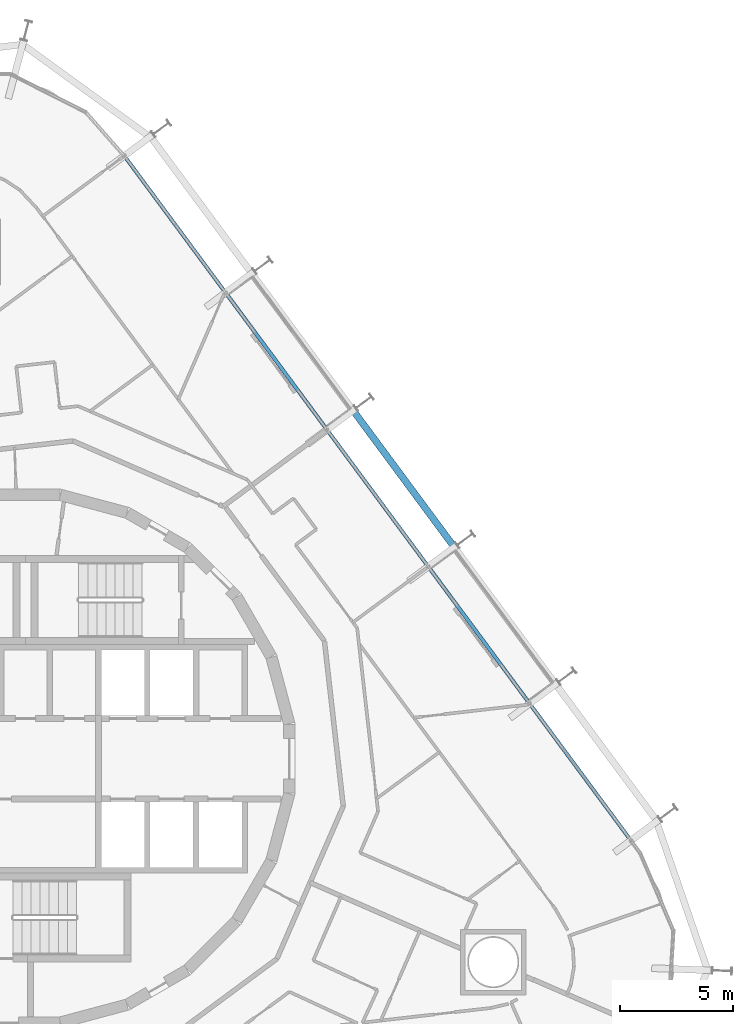
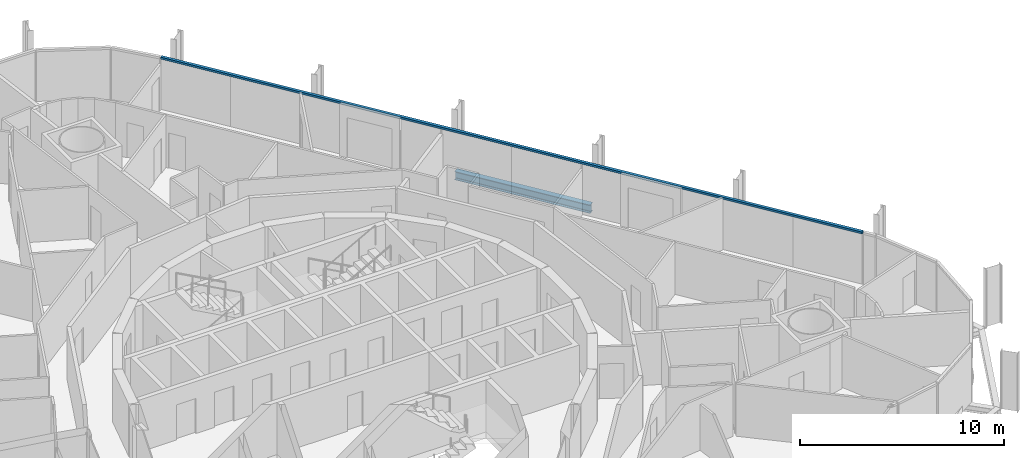
# One storey, part 10 of 21: 1 beam, 1 member, 1 element without a shape of its own.
"""IFC4 building model written with IfcOpenShell, lengths in metres."""

from ifc_helpers import new_model, si_unit, direction, frame, origin, origin_2d, place, context, subcontext, project, spatial, rectangle, i_section, extrude, material, layer, layer_set, material_profile, profile_set, type_object, element, aggregate, save


model = new_model("IFC4")

# Units and contexts
model_context = context("Model", 3, precision=1e-05, world=origin(), true_north=direction((0.0, 1.0)))
body_context = subcontext(model_context, "Body", "Model", "MODEL_VIEW")
ifc_project = project(units=[si_unit("LENGTHUNIT", "METRE"), si_unit("AREAUNIT", "SQUARE_METRE"), si_unit("VOLUMEUNIT", "CUBIC_METRE"), si_unit("PLANEANGLEUNIT", "RADIAN"), si_unit("MASSUNIT", "GRAM", prefix="KILO")], contexts=[model_context])

# Site, building, storey
site_placement = place(None, origin())
site = spatial("IfcSite", under=ifc_project, at=site_placement, CompositionType="ELEMENT")
building_placement = place(site_placement, origin())
building = spatial("IfcBuilding", under=site, at=building_placement, Name="Spindle Arch Residences", CompositionType="ELEMENT")
storey_placement = place(building_placement, frame((0.0, 0.0, 97.699951171875)))
storey = spatial("IfcBuildingStorey", under=building, at=storey_placement, Name="L23", CompositionType="ELEMENT", Elevation=97.699951171875)

# Curtain wall, member
ifc_material_1 = material(Name="Aluminium bronze unitised frame with tinted glass", Category="aluminium")
ifc_layer = layer(ifc_material_1, 0.159912109375)
ifc_layer_set = layer_set([ifc_layer], Name="CW-C typical residential unitised wall")
curtain_wall_type = type_object("IfcCurtainWallType", Name="CW-C typical residential unitised wall", PredefinedType="NOTDEFINED", material=ifc_layer_set)
curtain_wall_placement = place(storey_placement, origin())
curtain_wall = element("IfcCurtainWall", 1, at=curtain_wall_placement, inside=storey, type_object=curtain_wall_type, Name="CW-C L23 run 2", PredefinedType="NOTDEFINED")
ifc_material_2 = material(Name="Aluminium bronze anodised transom", Category="aluminium")
ifc_material_profile_1 = material_profile(ifc_material_2, rectangle(XDim=0.159912109375, YDim=0.1201171875, at=origin_2d()), Name="TR 120x160")
ifc_profile_set_1 = profile_set([ifc_material_profile_1], Name="Aluminium bronze anodised transom")
member_type = type_object("IfcMemberType", Name="Bronze transom 120x160", PredefinedType="USERDEFINED", material=ifc_profile_set_1)
member_placement = place(storey_placement, frame((26.707763671875, -3.583740234375, 3.06005859375), z_axis=(-0.594822410752, 0.803857138842, 0.0), x_axis=(-0.803857138842, -0.594822410752, 0.0)))
member = element("IfcMember", 2, at=member_placement, type_object=member_type, Name="CW-C transom 00", ObjectType="TRANSOM", PredefinedType="USERDEFINED", context=body_context, shape_type="SweptSolid", body=[
    extrude(rectangle(XDim=0.159912109375, YDim=0.1201171875, at=origin_2d()), origin(), (0.0, 0.0, 1.0), 37.5341796875),
])
aggregate(curtain_wall, [member])

# Beam
ifc_material_3 = material(Name="Steel S460ML, intumescent coating R 120", Category="steel")
ifc_material_profile_2 = material_profile(ifc_material_3, i_section(OverallWidth=0.300048828125, OverallDepth=0.5, WebThickness=0.014404296875, FlangeThickness=0.028076171875, FilletRadius=0.027099609375, at=origin_2d()), Name="HEB 500")
ifc_profile_set_2 = profile_set([ifc_material_profile_2], Name="Steel S460ML, intumescent coating R 120")
beam_type = type_object("IfcBeamType", Name="Exoskeleton edge beam HEB 500", PredefinedType="BEAM", material=ifc_profile_set_2)
beam_placement = place(storey_placement, frame((18.85546875, 9.437255859375, -0.6298828125), z_axis=(-0.59484300541, 0.803841899203, 0.0), x_axis=(-0.803841899203, -0.59484300541, 0.0)))
element("IfcBeam", 3, at=beam_placement, inside=storey, type_object=beam_type, Name="Exoskeleton edge beam 8", PredefinedType="BEAM", context=body_context, shape_type="SweptSolid", body=[
    extrude(i_section(OverallWidth=0.300048828125, OverallDepth=0.5, WebThickness=0.014404296875, FlangeThickness=0.028076171875, FilletRadius=0.027099609375, at=origin_2d()), origin(), (0.0, 0.0, 1.0), 7.2587890625),
])

save(model, "model.ifc")
